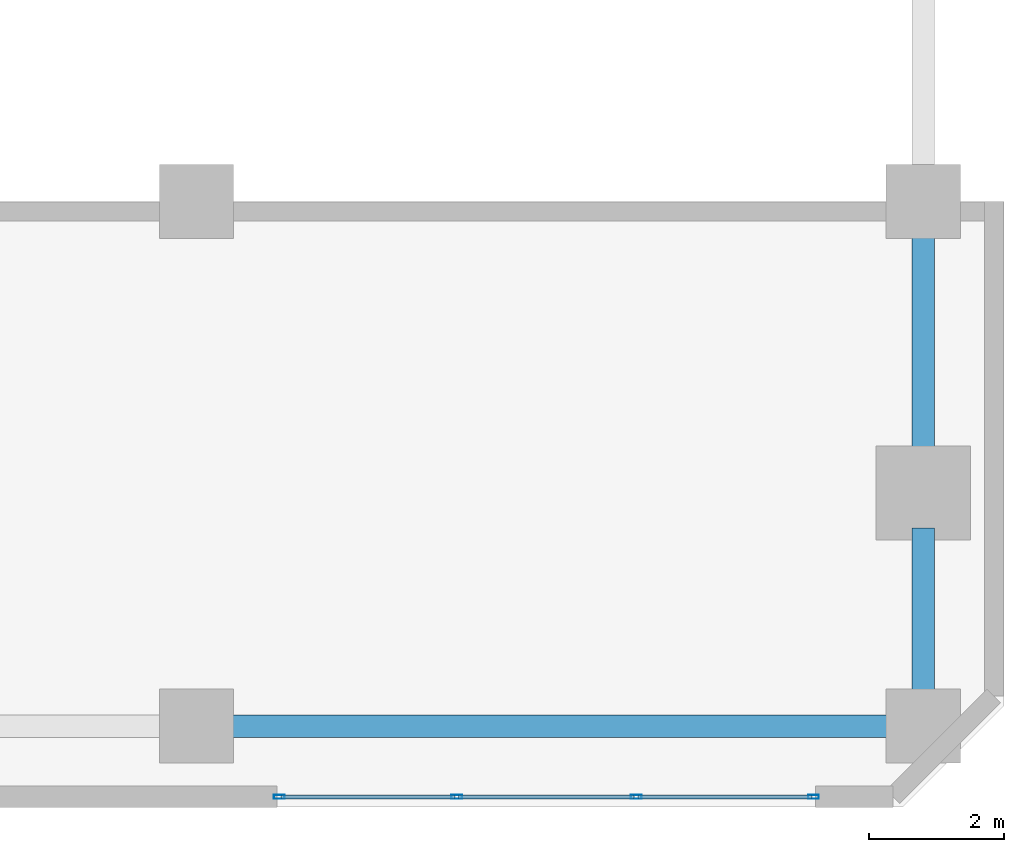
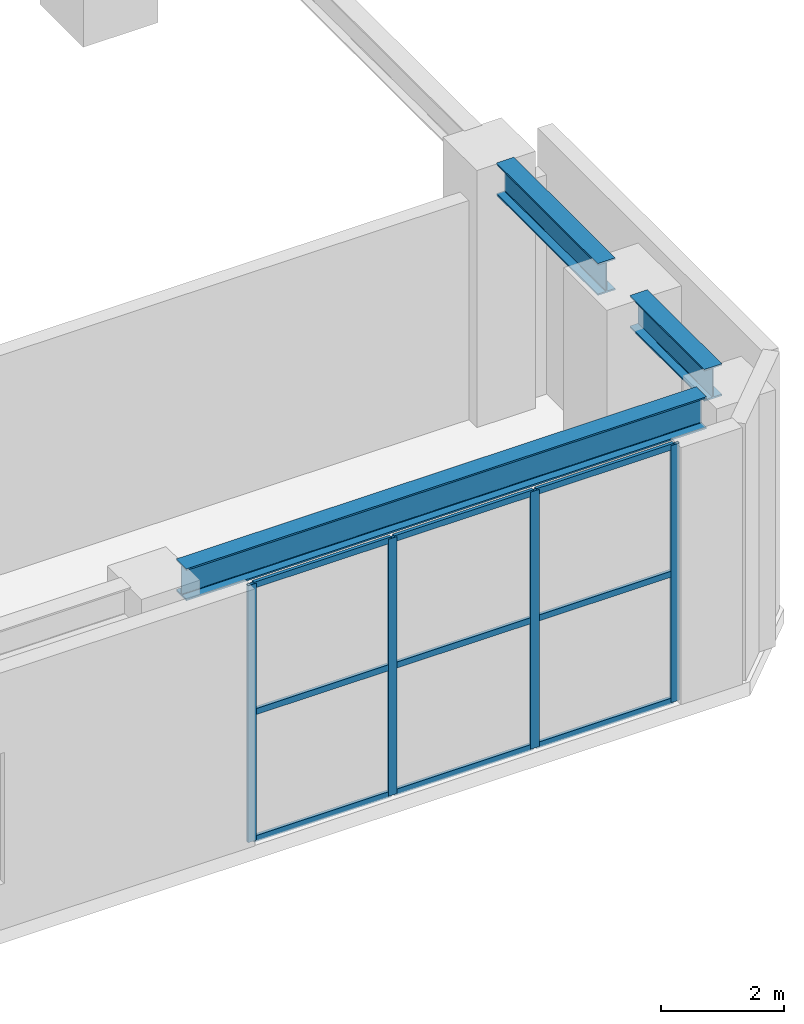
# One storey, part 12 of 32: 13 members, 3 beams, 1 element without a shape of its own.
"""IFC4 building model written with IfcOpenShell, lengths in metres."""

from ifc_helpers import new_model, si_unit, direction, frame, origin, origin_2d, place, context, subcontext, project, spatial, hollow_rectangle, i_section, extrude, material, layer, layer_set, material_profile, profile_set, type_object, element, aggregate, save


model = new_model("IFC4")

# Units and contexts
model_context = context("Model", 3, precision=1e-05, world=origin(), true_north=direction((0.0, 1.0)))
body_context = subcontext(model_context, "Body", "Model", "MODEL_VIEW")
ifc_project = project(units=[si_unit("LENGTHUNIT", "METRE"), si_unit("AREAUNIT", "SQUARE_METRE"), si_unit("VOLUMEUNIT", "CUBIC_METRE"), si_unit("PLANEANGLEUNIT", "RADIAN"), si_unit("MASSUNIT", "GRAM", prefix="KILO")], contexts=[model_context])

# Site, building, storey
site_placement = place(None, origin())
site = spatial("IfcSite", under=ifc_project, at=site_placement, CompositionType="ELEMENT")
building_placement = place(site_placement, origin())
building = spatial("IfcBuilding", under=site, at=building_placement, Name="Sarneth Arch Tower", CompositionType="ELEMENT")
storey_placement = place(building_placement, frame((0.0, 0.0, 11.39990234375)))
storey = spatial("IfcBuildingStorey", under=building, at=storey_placement, Name="L02", CompositionType="ELEMENT", Elevation=11.39990234375)

# Beams
ifc_material_1 = material(Name="Steel S355", Category="steel")
ifc_material_profile_1 = material_profile(ifc_material_1, i_section(OverallWidth=0.3291015625, OverallDepth=0.635009765625, WebThickness=0.017822265625, FlangeThickness=0.031005859375, FilletRadius=0.01904296875, at=origin_2d()), Name="W610x241")
ifc_profile_set_1 = profile_set([ifc_material_profile_1], Name="Steel S355")
beam_type = type_object("IfcBeamType", Name="BM-POD-610", PredefinedType="BEAM", material=ifc_profile_set_1)
beam_1_placement = place(storey_placement, frame((76.52001953125, 9.199951171875, 4.78271484375), z_axis=(1.0, 0.0, 0.0), x_axis=(0.0, 1.0, 0.0)))
element("IfcBeam", 1, at=beam_1_placement, inside=storey, type_object=beam_type, Name="L02 Podium PS girder 8", PredefinedType="BEAM", context=body_context, shape_type="SweptSolid", body=[
    extrude(i_section(OverallWidth=0.3291015625, OverallDepth=0.635009765625, WebThickness=0.017822265625, FlangeThickness=0.031005859375, FilletRadius=0.01904296875, at=origin_2d()), origin(), (0.0, 0.0, 1.0), 9.760009765625),
])
beam_2_placement = place(storey_placement, frame((86.800048828125, 9.719970703125, 4.78271484375), z_axis=(0.0, 1.0, 0.0), x_axis=(-1.0, 0.0, 0.0)))
element("IfcBeam", 2, at=beam_2_placement, inside=storey, type_object=beam_type, Name="L02 Podium PE girder 1", PredefinedType="BEAM", context=body_context, shape_type="SweptSolid", body=[
    extrude(i_section(OverallWidth=0.3291015625, OverallDepth=0.635009765625, WebThickness=0.017822265625, FlangeThickness=0.031005859375, FilletRadius=0.01904296875, at=origin_2d()), origin(), (0.0, 0.0, 1.0), 2.42333984375),
])
beam_3_placement = place(storey_placement, frame((86.800048828125, 13.183349609375, 4.78271484375), z_axis=(0.0, 1.0, 0.0), x_axis=(-1.0, 0.0, 0.0)))
element("IfcBeam", 3, at=beam_3_placement, inside=storey, type_object=beam_type, Name="L02 Podium PE girder 2", PredefinedType="BEAM", context=body_context, shape_type="SweptSolid", body=[
    extrude(i_section(OverallWidth=0.3291015625, OverallDepth=0.635009765625, WebThickness=0.017822265625, FlangeThickness=0.031005859375, FilletRadius=0.01904296875, at=origin_2d()), origin(), (0.0, 0.0, 1.0), 3.296630859375),
])

# Curtain wall, members
ifc_material_2 = material(Name="Anodised aluminium Type AA25 and solar-control low-e laminated IGU", Category="aluminium")
ifc_layer = layer(ifc_material_2, 0.179931640625)
ifc_layer_set = layer_set([ifc_layer], Name="Anodised aluminium Type AA25 and solar-control low-e laminated IGU")
curtain_wall_type = type_object("IfcCurtainWallType", Name="CW-PODIUM-CHAMF", PredefinedType="NOTDEFINED", material=ifc_layer_set)
curtain_wall_placement = place(storey_placement, origin())
curtain_wall = element("IfcCurtainWall", 4, at=curtain_wall_placement, inside=storey, type_object=curtain_wall_type, Name="L02 Podium bay curtain wall SE", PredefinedType="NOTDEFINED")
ifc_material_3 = material(Name="Anodised Aluminium 6063-T6", Category="aluminium")
ifc_material_profile_2 = material_profile(ifc_material_3, hollow_rectangle(XDim=0.06005859375, YDim=0.159912109375, WallThickness=0.00390625, at=origin_2d()), Name="AL-MULL-160x60x4")
ifc_profile_set_2 = profile_set([ifc_material_profile_2], Name="Anodised Aluminium 6063-T6")
member_type_1 = type_object("IfcMemberType", Name="CW-MULLION", PredefinedType="MULLION", material=ifc_profile_set_2)
member_1_placement = place(storey_placement, frame((77.22998046875, 8.14990234375, 0.0), z_axis=(0.0, 0.0, 1.0), x_axis=(0.0, 1.0, 0.0)))
member_1 = element("IfcMember", 5, at=member_1_placement, type_object=member_type_1, Name="CW-SYS-1 mullion 1", PredefinedType="MULLION", context=body_context, shape_type="SweptSolid", body=[
    extrude(hollow_rectangle(XDim=0.06005859375, YDim=0.159912109375, WallThickness=0.00390625, at=origin_2d()), origin(), (0.0, 0.0, 1.0), 5.10009765625),
])
member_2_placement = place(storey_placement, frame((79.86669921875, 8.14990234375, 0.0), z_axis=(0.0, 0.0, 1.0), x_axis=(0.0, 1.0, 0.0)))
member_2 = element("IfcMember", 6, at=member_2_placement, type_object=member_type_1, Name="CW-SYS-1 mullion 2", PredefinedType="MULLION", context=body_context, shape_type="SweptSolid", body=[
    extrude(hollow_rectangle(XDim=0.06005859375, YDim=0.159912109375, WallThickness=0.00390625, at=origin_2d()), origin(), (0.0, 0.0, 1.0), 5.10009765625),
])
member_3_placement = place(storey_placement, frame((82.533447265625, 8.14990234375, 0.0), z_axis=(0.0, 0.0, 1.0), x_axis=(0.0, 1.0, 0.0)))
member_3 = element("IfcMember", 7, at=member_3_placement, type_object=member_type_1, Name="CW-SYS-1 mullion 3", PredefinedType="MULLION", context=body_context, shape_type="SweptSolid", body=[
    extrude(hollow_rectangle(XDim=0.06005859375, YDim=0.159912109375, WallThickness=0.00390625, at=origin_2d()), origin(), (0.0, 0.0, 1.0), 5.10009765625),
])
member_4_placement = place(storey_placement, frame((85.169921875, 8.14990234375, 0.0), z_axis=(0.0, 0.0, 1.0), x_axis=(0.0, 1.0, 0.0)))
member_4 = element("IfcMember", 8, at=member_4_placement, type_object=member_type_1, Name="CW-SYS-1 mullion 4", PredefinedType="MULLION", context=body_context, shape_type="SweptSolid", body=[
    extrude(hollow_rectangle(XDim=0.06005859375, YDim=0.159912109375, WallThickness=0.00390625, at=origin_2d()), origin(), (0.0, 0.0, 1.0), 5.10009765625),
])
ifc_material_4 = material(Name="Anodised Aluminium 6063-T6", Category="aluminium")
ifc_material_profile_3 = material_profile(ifc_material_4, hollow_rectangle(XDim=0.06005859375, YDim=0.1201171875, WallThickness=0.00390625, at=origin_2d()), Name="AL-TRAN-120x60x4")
ifc_profile_set_3 = profile_set([ifc_material_profile_3], Name="Anodised Aluminium 6063-T6")
member_type_2 = type_object("IfcMemberType", Name="CW-TRANSOM", PredefinedType="USERDEFINED", material=ifc_profile_set_3)
member_5_placement = place(storey_placement, frame((77.260009765625, 8.14990234375, 0.030029296875), z_axis=(1.0, 0.0, 0.0), x_axis=(0.0, 1.0, 0.0)))
member_5 = element("IfcMember", 9, at=member_5_placement, type_object=member_type_2, Name="CW-SYS-1 transom 1.1", ObjectType="TRANSOM", PredefinedType="USERDEFINED", context=body_context, shape_type="SweptSolid", body=[
    extrude(hollow_rectangle(XDim=0.06005859375, YDim=0.1201171875, WallThickness=0.00390625, at=origin_2d()), origin(), (0.0, 0.0, 1.0), 2.57666015625),
])
member_6_placement = place(storey_placement, frame((77.260009765625, 8.14990234375, 2.550048828125), z_axis=(1.0, 0.0, 0.0), x_axis=(0.0, 1.0, 0.0)))
member_6 = element("IfcMember", 10, at=member_6_placement, type_object=member_type_2, Name="CW-SYS-1 transom 1.2", ObjectType="TRANSOM", PredefinedType="USERDEFINED", context=body_context, shape_type="SweptSolid", body=[
    extrude(hollow_rectangle(XDim=0.06005859375, YDim=0.1201171875, WallThickness=0.00390625, at=origin_2d()), origin(), (0.0, 0.0, 1.0), 2.57666015625),
])
member_7_placement = place(storey_placement, frame((77.260009765625, 8.14990234375, 5.070068359375), z_axis=(1.0, 0.0, 0.0), x_axis=(0.0, 1.0, 0.0)))
member_7 = element("IfcMember", 11, at=member_7_placement, type_object=member_type_2, Name="CW-SYS-1 transom 1.3", ObjectType="TRANSOM", PredefinedType="USERDEFINED", context=body_context, shape_type="SweptSolid", body=[
    extrude(hollow_rectangle(XDim=0.06005859375, YDim=0.1201171875, WallThickness=0.00390625, at=origin_2d()), origin(), (0.0, 0.0, 1.0), 2.57666015625),
])
member_8_placement = place(storey_placement, frame((79.896728515625, 8.14990234375, 0.030029296875), z_axis=(1.0, 0.0, 0.0), x_axis=(0.0, 1.0, 0.0)))
member_8 = element("IfcMember", 12, at=member_8_placement, type_object=member_type_2, Name="CW-SYS-1 transom 2.1", ObjectType="TRANSOM", PredefinedType="USERDEFINED", context=body_context, shape_type="SweptSolid", body=[
    extrude(hollow_rectangle(XDim=0.06005859375, YDim=0.1201171875, WallThickness=0.00390625, at=origin_2d()), origin(), (0.0, 0.0, 1.0), 2.606689453125),
])
member_9_placement = place(storey_placement, frame((79.896728515625, 8.14990234375, 2.550048828125), z_axis=(1.0, 0.0, 0.0), x_axis=(0.0, 1.0, 0.0)))
member_9 = element("IfcMember", 13, at=member_9_placement, type_object=member_type_2, Name="CW-SYS-1 transom 2.2", ObjectType="TRANSOM", PredefinedType="USERDEFINED", context=body_context, shape_type="SweptSolid", body=[
    extrude(hollow_rectangle(XDim=0.06005859375, YDim=0.1201171875, WallThickness=0.00390625, at=origin_2d()), origin(), (0.0, 0.0, 1.0), 2.606689453125),
])
member_10_placement = place(storey_placement, frame((79.896728515625, 8.14990234375, 5.070068359375), z_axis=(1.0, 0.0, 0.0), x_axis=(0.0, 1.0, 0.0)))
member_10 = element("IfcMember", 14, at=member_10_placement, type_object=member_type_2, Name="CW-SYS-1 transom 2.3", ObjectType="TRANSOM", PredefinedType="USERDEFINED", context=body_context, shape_type="SweptSolid", body=[
    extrude(hollow_rectangle(XDim=0.06005859375, YDim=0.1201171875, WallThickness=0.00390625, at=origin_2d()), origin(), (0.0, 0.0, 1.0), 2.606689453125),
])
member_11_placement = place(storey_placement, frame((82.563232421875, 8.14990234375, 0.030029296875), z_axis=(1.0, 0.0, 0.0), x_axis=(0.0, 1.0, 0.0)))
member_11 = element("IfcMember", 15, at=member_11_placement, type_object=member_type_2, Name="CW-SYS-1 transom 3.1", ObjectType="TRANSOM", PredefinedType="USERDEFINED", context=body_context, shape_type="SweptSolid", body=[
    extrude(hollow_rectangle(XDim=0.06005859375, YDim=0.1201171875, WallThickness=0.00390625, at=origin_2d()), origin(), (0.0, 0.0, 1.0), 2.57666015625),
])
member_12_placement = place(storey_placement, frame((82.563232421875, 8.14990234375, 2.550048828125), z_axis=(1.0, 0.0, 0.0), x_axis=(0.0, 1.0, 0.0)))
member_12 = element("IfcMember", 16, at=member_12_placement, type_object=member_type_2, Name="CW-SYS-1 transom 3.2", ObjectType="TRANSOM", PredefinedType="USERDEFINED", context=body_context, shape_type="SweptSolid", body=[
    extrude(hollow_rectangle(XDim=0.06005859375, YDim=0.1201171875, WallThickness=0.00390625, at=origin_2d()), origin(), (0.0, 0.0, 1.0), 2.57666015625),
])
member_13_placement = place(storey_placement, frame((82.563232421875, 8.14990234375, 5.070068359375), z_axis=(1.0, 0.0, 0.0), x_axis=(0.0, 1.0, 0.0)))
member_13 = element("IfcMember", 17, at=member_13_placement, type_object=member_type_2, Name="CW-SYS-1 transom 3.3", ObjectType="TRANSOM", PredefinedType="USERDEFINED", context=body_context, shape_type="SweptSolid", body=[
    extrude(hollow_rectangle(XDim=0.06005859375, YDim=0.1201171875, WallThickness=0.00390625, at=origin_2d()), origin(), (0.0, 0.0, 1.0), 2.57666015625),
])
aggregate(curtain_wall, [member_1, member_2, member_3, member_4, member_5, member_6, member_7, member_8, member_9, member_10, member_11, member_12, member_13])

save(model, "model.ifc")
